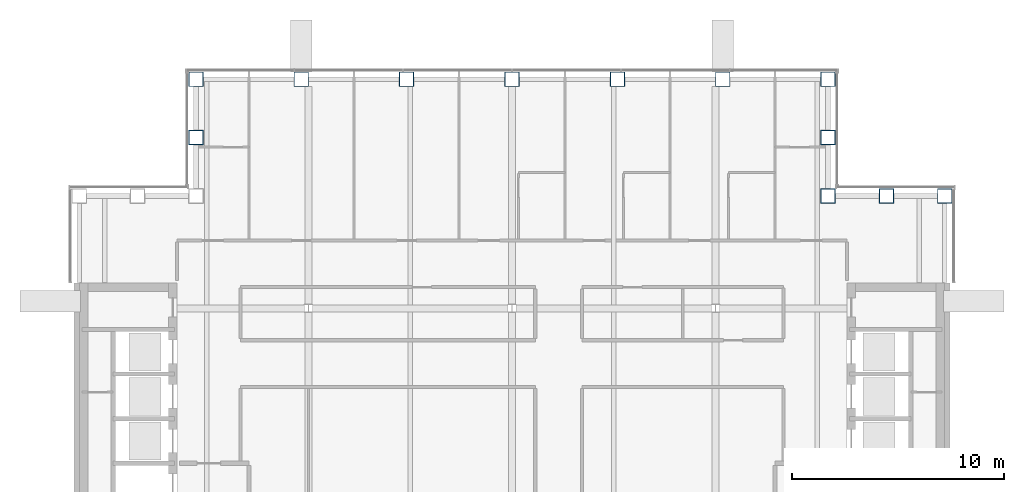
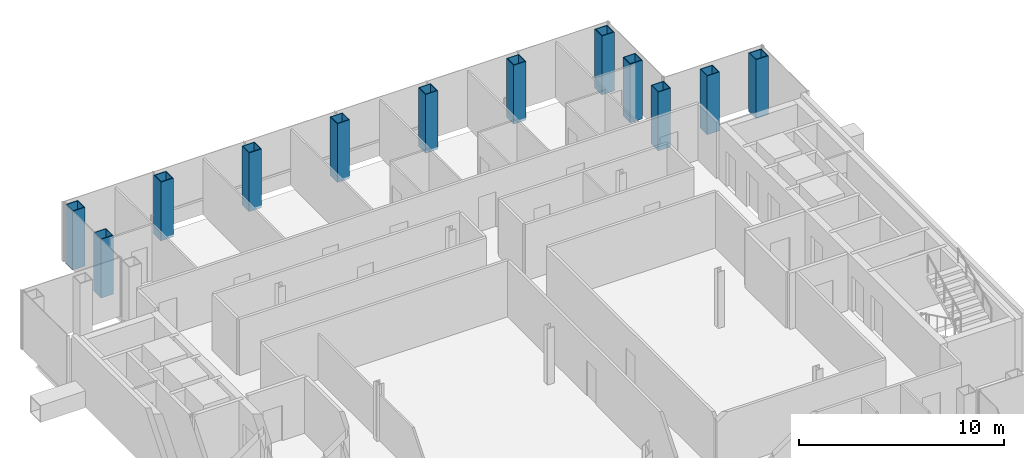
# One storey, part 2 of 14: 12 columns.
"""IFC4 building model written with IfcOpenShell, lengths in metres."""

from ifc_helpers import new_model, si_unit, direction, frame, origin, origin_2d, place, context, subcontext, project, spatial, hollow_rectangle, extrude, material, material_profile, profile_set, type_object, element, save


model = new_model("IFC4")

# Units and contexts
model_context = context("Model", 3, precision=1e-05, world=origin(), true_north=direction((0.0, 1.0)))
body_context = subcontext(model_context, "Body", "Model", "MODEL_VIEW")
ifc_project = project(units=[si_unit("LENGTHUNIT", "METRE"), si_unit("AREAUNIT", "SQUARE_METRE"), si_unit("VOLUMEUNIT", "CUBIC_METRE"), si_unit("PLANEANGLEUNIT", "RADIAN"), si_unit("MASSUNIT", "GRAM", prefix="KILO")], contexts=[model_context])

# Site, building, storey
site_placement = place(None, origin())
site = spatial("IfcSite", under=ifc_project, at=site_placement, CompositionType="ELEMENT")
building_placement = place(site_placement, origin())
building = spatial("IfcBuilding", under=site, at=building_placement, Name="Cobrizo Arcos Hotel Tower", CompositionType="ELEMENT")
storey_placement = place(building_placement, frame((0.0, 0.0, 208.5)))
storey = spatial("IfcBuildingStorey", under=building, at=storey_placement, Name="L54", CompositionType="ELEMENT", Elevation=208.5)

# Columns
ifc_material = material(Name="Steel ASTM A572 Grade 50", Category="steel")
ifc_material_profile = material_profile(ifc_material, hollow_rectangle(XDim=0.699951171875, YDim=0.699951171875, WallThickness=0.0400390625, at=origin_2d()), Name="BOX 700X700X40")
ifc_profile_set = profile_set([ifc_material_profile], Name="Steel ASTM A572 Grade 50")
column_type = type_object("IfcColumnType", Name="BOX 700X700X40 column", PredefinedType="COLUMN", material=ifc_profile_set)
for number, where, z_axis, x_axis, name in (
    (1, (-14.89990234375, 20.39990234375, -0.14990234375), (0.0, 0.0, 1.0), (1.0, 0.0, 0.0), "Perimeter column C10, L54, no. 00"),
    (2, (-9.93310546875, 20.39990234375, -0.14990234375), (0.0, 0.0, 1.0), (1.0, 0.0, 0.0), "Perimeter column C10, L54, no. 02"),
    (3, (-4.967041015625, 20.39990234375, -0.14990234375), (0.0, 0.0, 1.0), (1.0, 0.0, 0.0), "Perimeter column C10, L54, no. 04"),
    (4, (0.0, 20.39990234375, -0.14990234375), (0.0, 0.0, 1.0), (1.0, 0.0, 0.0), "Perimeter column C10, L54, no. 06"),
    (5, (4.967041015625, 20.39990234375, -0.14990234375), (0.0, 0.0, 1.0), (1.0, 0.0, 0.0), "Perimeter column C10, L54, no. 08"),
    (6, (9.93310546875, 20.39990234375, -0.14990234375), (0.0, 0.0, 1.0), (1.0, 0.0, 0.0), "Perimeter column C10, L54, no. 10"),
    (7, (14.89990234375, 20.39990234375, -0.14990234375), (0.0, 0.0, 1.0), (1.0, 0.0, 0.0), "Perimeter column C10, L54, no. 12"),
    (8, (20.39990234375, 14.89990234375, -0.14990234375), (0.0, 0.0, 1.0), (1.0, 0.0, 0.0), "Perimeter column C10, L54, no. 16"),
    (9, (-14.89990234375, 17.64990234375, -0.14990234375), (0.0, 0.0, 1.0), (1.0, 0.0, 0.0), "Perimeter column C10, L54, no. 22"),
    (10, (14.89990234375, 14.89990234375, -0.14990234375), (0.0, 0.0, 1.0), (1.0, 0.0, 0.0), "Perimeter column C10, L54, no. 27"),
    (11, (14.89990234375, 17.64990234375, -0.14990234375), (0.0, 0.0, 1.0), (1.0, 0.0, 0.0), "Perimeter column C10, L54, no. 28"),
    (12, (17.64990234375, 14.89990234375, -0.14990234375), (0.0, 0.0, 1.0), (1.0, 0.0, 0.0), "Perimeter column C10, L54, no. 29"),
):
    element("IfcColumn", number, at=place(storey_placement, frame(where, z_axis=z_axis, x_axis=x_axis)), inside=storey, type_object=column_type, Name=name, PredefinedType="COLUMN", context=body_context, shape_type="SweptSolid", body=[
        extrude(hollow_rectangle(XDim=0.699951171875, YDim=0.699951171875, WallThickness=0.0400390625, at=origin_2d()), origin(), (0.0, 0.0, 1.0), 3.5),
    ])

save(model, "model.ifc")
